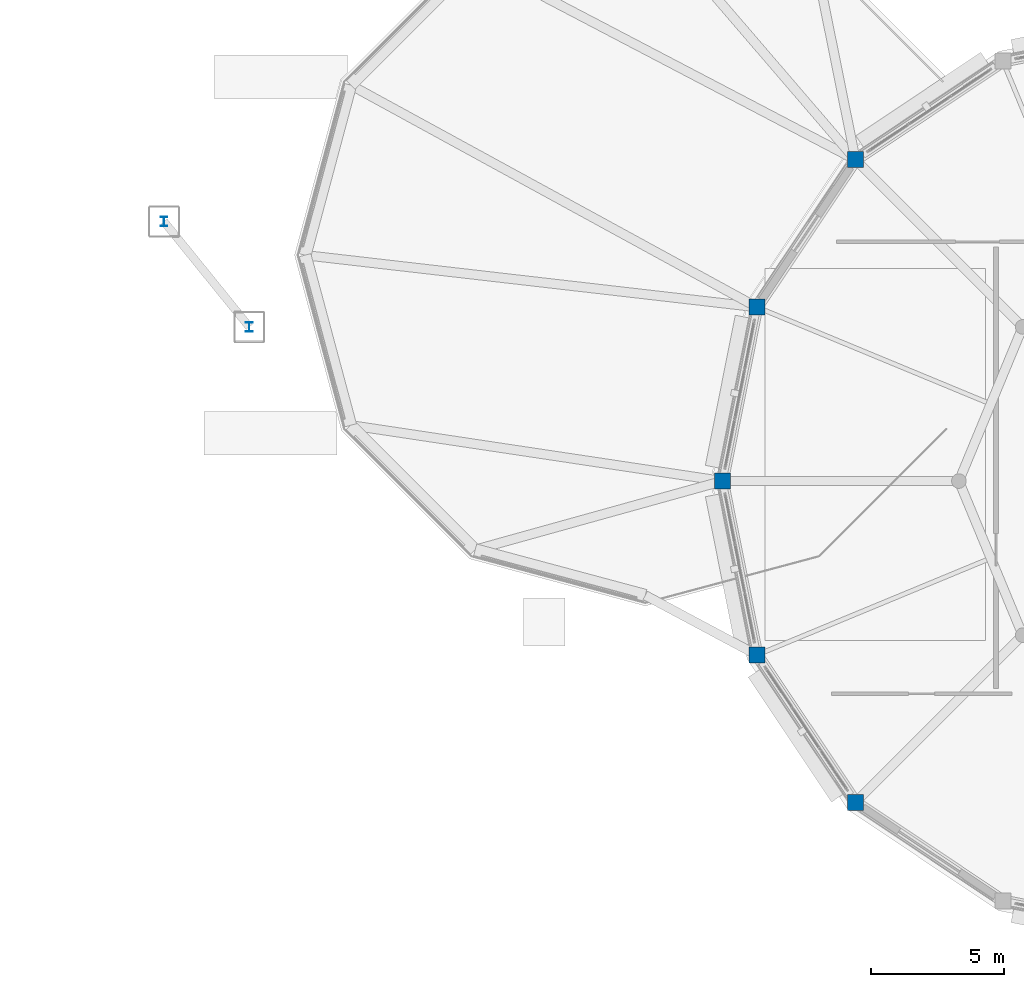
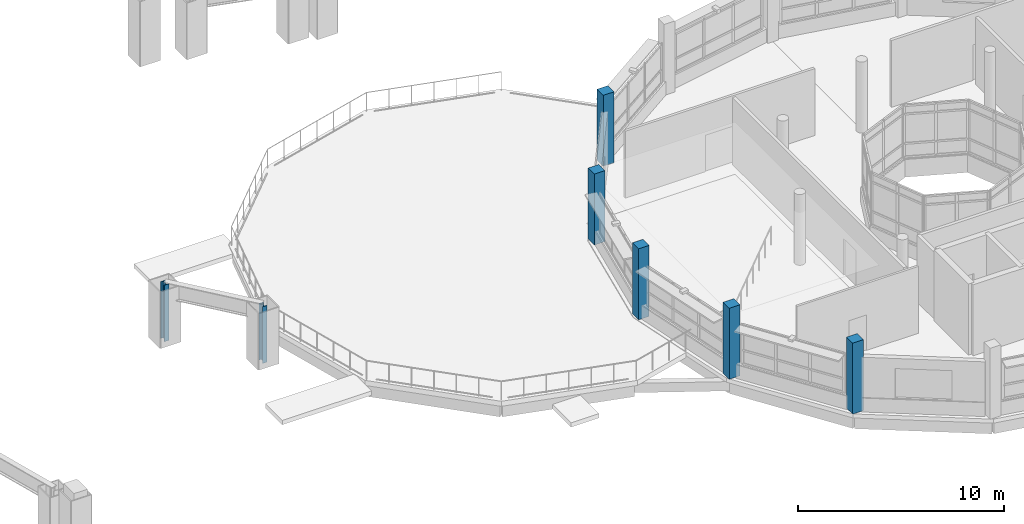
# One storey, part 6 of 128: 7 columns.
"""IFC4 building model written with IfcOpenShell, lengths in metres."""

from ifc_helpers import new_model, si_unit, direction, frame, origin, origin_2d, place, context, subcontext, project, spatial, rectangle, i_section, extrude, material, material_profile, profile_set, type_object, element, save


model = new_model("IFC4")

# Units and contexts
model_context = context("Model", 3, precision=1e-05, world=origin(), true_north=direction((0.0, 1.0)))
body_context = subcontext(model_context, "Body", "Model", "MODEL_VIEW")
ifc_project = project(units=[si_unit("LENGTHUNIT", "METRE"), si_unit("AREAUNIT", "SQUARE_METRE"), si_unit("VOLUMEUNIT", "CUBIC_METRE"), si_unit("PLANEANGLEUNIT", "RADIAN"), si_unit("MASSUNIT", "GRAM", prefix="KILO")], contexts=[model_context])

# Site, building, storey
site_placement = place(None, origin())
site = spatial("IfcSite", under=ifc_project, at=site_placement, CompositionType="ELEMENT")
building_placement = place(site_placement, origin())
building = spatial("IfcBuilding", under=site, at=building_placement, Name="Vespera Passage Community Centre", CompositionType="ELEMENT")
storey_placement = place(building_placement, frame((0.0, 0.0, 4.5)))
storey = spatial("IfcBuildingStorey", under=building, at=storey_placement, Name="L01", CompositionType="ELEMENT", Elevation=4.5)

# Columns
ifc_material_1 = material(Name="Concrete f'c 45 MPa", Category="concrete")
ifc_material_profile_1 = material_profile(ifc_material_1, rectangle(XDim=0.60009765625, YDim=0.60009765625, at=origin_2d()), Name="RC600X600")
ifc_profile_set_1 = profile_set([ifc_material_profile_1], Name="Concrete f'c 45 MPa")
column_type_1 = type_object("IfcColumnType", Name="COL-RC600E", PredefinedType="COLUMN", material=ifc_profile_set_1)
for number, where, z_axis, x_axis, name in (
    (1, (128.908447265625, 37.091552734375, 0.0), (0.0, 0.0, 1.0), (1.0, 0.0, 0.0), "L01 Column V3-P07"),
    (2, (125.20166015625, 31.5439453125, 0.0), (0.0, 0.0, 1.0), (1.0, 0.0, 0.0), "L01 Column V3-P08"),
    (3, (123.89990234375, 25.0, 0.0), (0.0, 0.0, 1.0), (1.0, 0.0, 0.0), "L01 Column V3-P09"),
    (4, (125.20166015625, 18.4560546875, 0.0), (0.0, 0.0, 1.0), (1.0, 0.0, 0.0), "L01 Column V3-P10"),
    (5, (128.908447265625, 12.908447265625, 0.0), (0.0, 0.0, 1.0), (1.0, 0.0, 0.0), "L01 Column V3-P11"),
):
    element("IfcColumn", number, at=place(storey_placement, frame(where, z_axis=z_axis, x_axis=x_axis)), inside=storey, type_object=column_type_1, Name=name, PredefinedType="COLUMN", context=body_context, shape_type="SweptSolid", body=[
        extrude(rectangle(XDim=0.60009765625, YDim=0.60009765625, at=origin_2d()), origin(), (0.0, 0.0, 1.0), 4.199951171875),
    ])
ifc_material_2 = material(Name="Steel ASTM A992 Grade 50", Category="steel")
ifc_material_profile_2 = material_profile(ifc_material_2, i_section(OverallWidth=0.2548828125, OverallDepth=0.356689453125, WebThickness=0.010498046875, FlangeThickness=0.018310546875, FilletRadius=0.01513671875, at=origin_2d()), Name="W14X68")
ifc_profile_set_2 = profile_set([ifc_material_profile_2], Name="Steel ASTM A992 Grade 50")
column_type_2 = type_object("IfcColumnType", Name="COL-W14X68I", PredefinedType="COLUMN", material=ifc_profile_set_2)
for number, where, z_axis, x_axis, name in (
    (6, (102.8896484375, 34.763916015625, 0.0), (0.0, 0.0, 1.0), (1.0, 0.0, 0.0), "L01 Column TRANC-I206"),
    (7, (106.09912109375, 30.80029296875, 0.0), (0.0, 0.0, 1.0), (1.0, 0.0, 0.0), "L01 Column TRANC-O206"),
):
    element("IfcColumn", number, at=place(storey_placement, frame(where, z_axis=z_axis, x_axis=x_axis)), inside=storey, type_object=column_type_2, Name=name, PredefinedType="COLUMN", context=body_context, shape_type="SweptSolid", body=[
        extrude(i_section(OverallWidth=0.2548828125, OverallDepth=0.356689453125, WebThickness=0.010498046875, FlangeThickness=0.018310546875, FilletRadius=0.01513671875, at=origin_2d()), origin(), (0.0, 0.0, 1.0), 3.35009765625),
    ])

save(model, "model.ifc")
